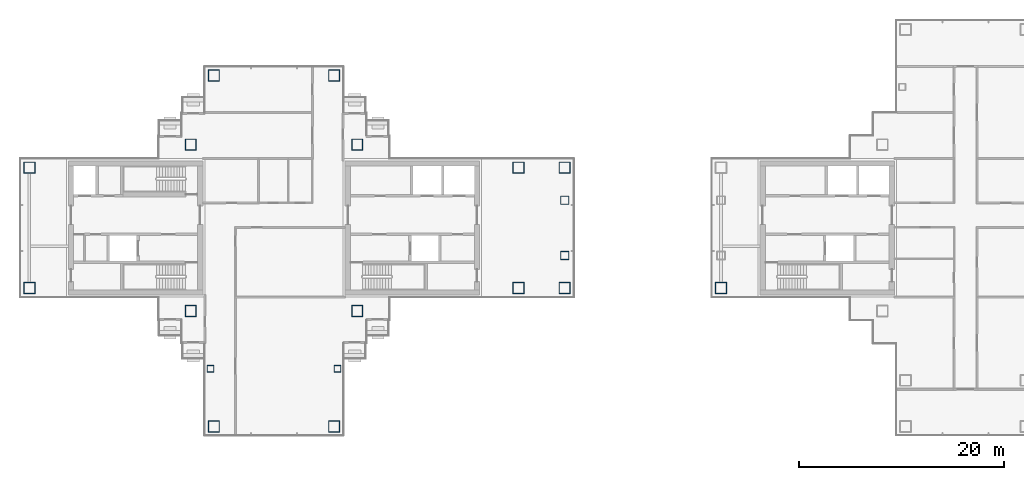
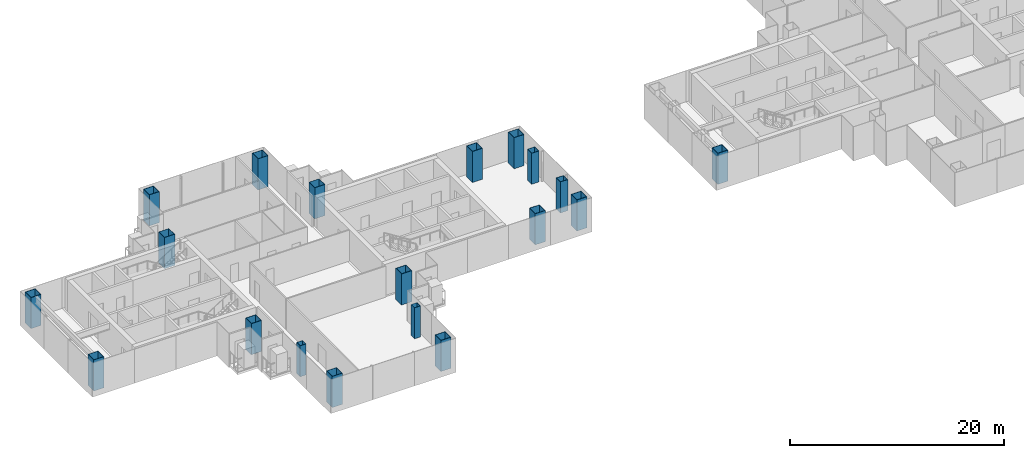
# One storey, part 1 of 16: 19 columns.
"""IFC4 building model written with IfcOpenShell, lengths in metres."""

from ifc_helpers import new_model, si_unit, direction, frame, origin, origin_2d, place, context, subcontext, project, spatial, hollow_rectangle, extrude, material, material_profile, profile_set, type_object, element, save


model = new_model("IFC4")

# Units and contexts
model_context = context("Model", 3, precision=1e-05, world=origin(), true_north=direction((0.0, 1.0)))
body_context = subcontext(model_context, "Body", "Model", "MODEL_VIEW")
ifc_project = project(units=[si_unit("LENGTHUNIT", "METRE"), si_unit("AREAUNIT", "SQUARE_METRE"), si_unit("VOLUMEUNIT", "CUBIC_METRE"), si_unit("PLANEANGLEUNIT", "RADIAN"), si_unit("MASSUNIT", "GRAM", prefix="KILO")], contexts=[model_context])

# Site, building, storey
site_placement = place(None, origin())
site = spatial("IfcSite", under=ifc_project, at=site_placement, CompositionType="ELEMENT")
building_placement = place(site_placement, origin())
building = spatial("IfcBuilding", under=site, at=building_placement, Name="Shamsa Quay Exchange Towers", CompositionType="ELEMENT")
storey_placement = place(building_placement, frame((0.0, 0.0, 154.5)))
storey = spatial("IfcBuildingStorey", under=building, at=storey_placement, Name="L36", CompositionType="ELEMENT", Elevation=154.5)

# Columns
ifc_material_1 = material(Name="Concrete-filled steel tube S355 / C80/95", Category="concrete")
ifc_material_profile_1 = material_profile(ifc_material_1, hollow_rectangle(XDim=1.10009765625, YDim=1.10009765625, WallThickness=0.0400390625, at=origin_2d()), Name="CFT 1100x1100x40")
ifc_profile_set_1 = profile_set([ifc_material_profile_1], Name="Concrete-filled steel tube S355 / C80/95")
column_type_1 = type_object("IfcColumnType", Name="Column CFT 1100x1100x40", PredefinedType="COLUMN", material=ifc_profile_set_1)
for number, where, name in (
    (1, (-25.625, 8.125, 0.0), "Mega column T1-CM01"),
    (2, (-25.625, -8.125, 0.0), "Mega column T1-CM02"),
    (3, (-41.875, 8.125, 0.0), "Mega column T1-CM03"),
    (4, (-41.875, -8.125, 0.0), "Mega column T1-CM04"),
    (5, (-9.875, -5.875, 0.0), "Mega column T1-CM05"),
    (6, (-5.375, -5.875, 0.0), "Mega column T1-CM06"),
    (7, (-9.875, 5.875, 0.0), "Mega column T1-CM07"),
    (8, (-5.375, 5.875, 0.0), "Mega column T1-CM08"),
    (9, (-57.625, -5.875, 0.0), "Mega column T1-CM09"),
    (10, (-57.625, 5.875, 0.0), "Mega column T1-CM11"),
    (11, (-39.625, 14.875, 0.0), "Mega column T1-CM13"),
    (12, (-27.875, 14.875, 0.0), "Mega column T1-CM16"),
    (13, (-39.625, -19.375, 0.0), "Mega column T1-CM20"),
    (14, (-27.875, -19.375, 0.0), "Mega column T1-CM23"),
    (15, (9.875, -5.875, 0.0), "Mega column T2-CM19"),
):
    element("IfcColumn", number, at=place(storey_placement, frame(where)), inside=storey, type_object=column_type_1, Name=name, PredefinedType="COLUMN", context=body_context, shape_type="SweptSolid", body=[
        extrude(hollow_rectangle(XDim=1.10009765625, YDim=1.10009765625, WallThickness=0.0400390625, at=origin_2d()), origin(), (0.0, 0.0, 1.0), 3.550048828125),
    ])
ifc_material_2 = material(Name="Concrete-filled steel tube S355 / C60/75", Category="concrete")
ifc_material_profile_2 = material_profile(ifc_material_2, hollow_rectangle(XDim=0.64990234375, YDim=0.64990234375, WallThickness=0.02001953125, at=origin_2d()), Name="CFT 650x650x20")
ifc_profile_set_2 = profile_set([ifc_material_profile_2], Name="Concrete-filled steel tube S355 / C60/75")
column_type_2 = type_object("IfcColumnType", Name="Column CFT 650x650x20", PredefinedType="COLUMN", material=ifc_profile_set_2)
for number, where, name in (
    (16, (-39.9375, -13.75, 0.0), "Perimeter column T1-CP19"),
    (17, (-27.5625, -13.75, 0.0), "Perimeter column T1-CP22"),
):
    element("IfcColumn", number, at=place(storey_placement, frame(where)), inside=storey, type_object=column_type_2, Name=name, PredefinedType="COLUMN", context=body_context, shape_type="SweptSolid", body=[
        extrude(hollow_rectangle(XDim=0.64990234375, YDim=0.64990234375, WallThickness=0.02001953125, at=origin_2d()), origin(), (0.0, 0.0, 1.0), 3.550048828125),
    ])
ifc_material_3 = material(Name="Concrete-filled steel tube S355 / C70/85", Category="concrete")
ifc_material_profile_3 = material_profile(ifc_material_3, hollow_rectangle(XDim=0.800048828125, YDim=0.800048828125, WallThickness=0.030029296875, at=origin_2d()), Name="CFT 800x800x30")
ifc_profile_set_3 = profile_set([ifc_material_profile_3], Name="Concrete-filled steel tube S355 / C70/85")
column_type_3 = type_object("IfcColumnType", Name="Landing column CFT 800x800x30", PredefinedType="COLUMN", material=ifc_profile_set_3)
for number, where, name in (
    (18, (-5.375, -2.699951171875, 0.0), "Landing column T1 S"),
    (19, (-5.375, 2.699951171875, 0.0), "Landing column T1 N"),
):
    element("IfcColumn", number, at=place(storey_placement, frame(where)), inside=storey, type_object=column_type_3, Name=name, PredefinedType="COLUMN", context=body_context, shape_type="SweptSolid", body=[
        extrude(hollow_rectangle(XDim=0.800048828125, YDim=0.800048828125, WallThickness=0.030029296875, at=origin_2d()), origin(), (0.0, 0.0, 1.0), 3.550048828125),
    ])

save(model, "model.ifc")
